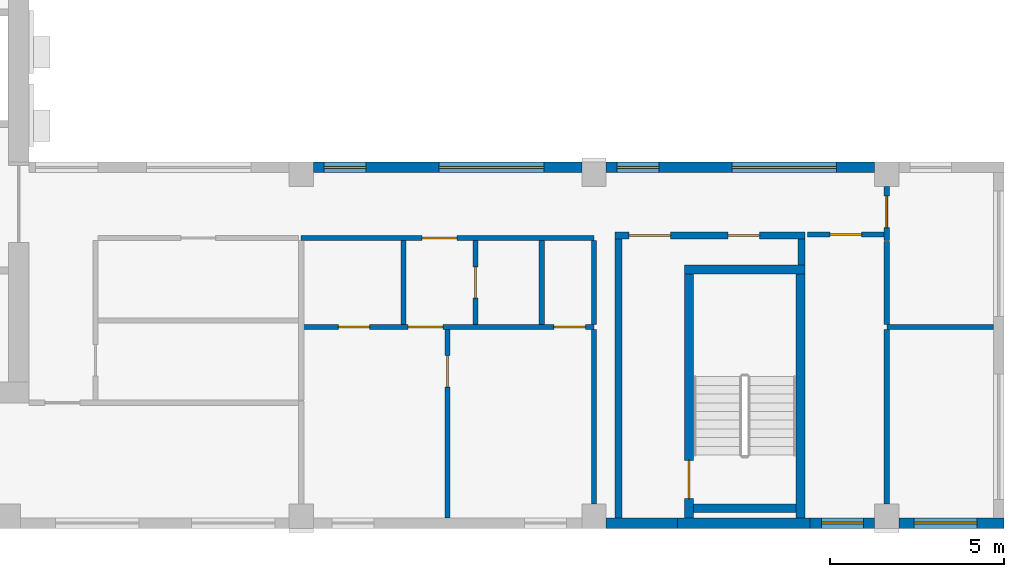
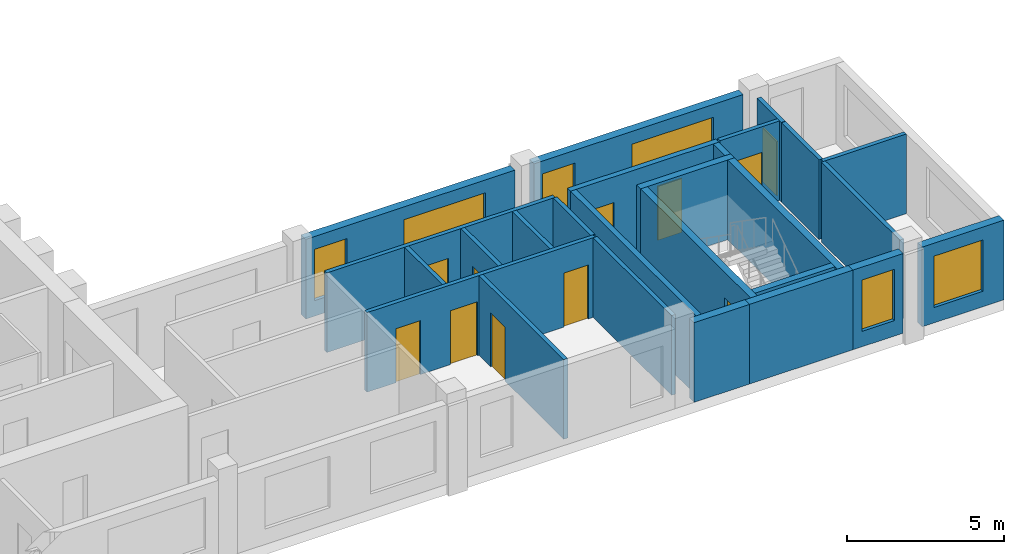
# One storey, part 4 of 9: 26 walls, 11 doors, 6 windows, 17 openings.
"""IFC4 building model written with IfcOpenShell, lengths in metres."""

import ifcopenshell
import ifcopenshell.guid

model = None  # the IFC model being written
_history = None  # IfcOwnerHistory: only IFC2X3 demands one
_inside = {}  # id of a spatial element -> (the spatial element, [elements in it])
_under = {}  # id of a project, library or spatial element -> (it, [spatial elements below it])
_declared = {}  # id of a project -> (the project, [libraries it declares])
_typed = {}  # id of a type object -> (the type object, [elements of that type])
_made_of = {}  # id of a material, layer set ... -> (it, [elements and type objects made of it])


def new_model(schema):
    """Start an empty IFC model of exactly this schema.

    Asked for "IFC4X3", IfcOpenShell would pick the latest addendum, in which some entities
    have other attributes; the version numbers below select the first issue.
    IFC2X3 requires an IfcOwnerHistory on every rooted entity: one is made here for all.
    """
    global model, _history
    if schema == "IFC4X3":
        model = ifcopenshell.file(schema_version=(4, 3, 0, 0))
    else:
        model = ifcopenshell.file(schema=schema)
    _inside.clear()
    _under.clear()
    _declared.clear()
    _typed.clear()
    _made_of.clear()
    _history = None
    if model.schema == "IFC2X3":
        org = make("IfcOrganization", Name="unknown")
        user = make(
            "IfcPersonAndOrganization",
            ThePerson=make("IfcPerson", FamilyName="unknown"),
            TheOrganization=org,
        )
        app = make(
            "IfcApplication",
            ApplicationDeveloper=org,
            Version="unknown",
            ApplicationFullName="unknown",
            ApplicationIdentifier="unknown",
        )
        _history = make(
            "IfcOwnerHistory",
            OwningUser=user,
            OwningApplication=app,
            ChangeAction="ADDED",
            CreationDate=0,
        )
    return model


def make(cls, **values):
    """One entity of the class cls with the attributes given. An attribute that is None is left unset."""
    return model.create_entity(
        cls, **{name: value for name, value in values.items() if value is not None}
    )


def rooted(cls, **values):
    """An entity with a GlobalId (a new one), such as an element, a storey or a relation."""
    return make(cls, GlobalId=ifcopenshell.guid.new(), OwnerHistory=_history, **values)


def si_unit(unit_type, name, prefix=None):
    """IfcSIUnit, for example si_unit("LENGTHUNIT", "METRE", prefix="MILLI")."""
    return make("IfcSIUnit", UnitType=unit_type, Prefix=prefix, Name=name)


def assignment(units):
    """IfcUnitAssignment: the units of a project."""
    return None if units is None else make("IfcUnitAssignment", Units=units)


def point(xyz):
    """IfcCartesianPoint."""
    return None if xyz is None else make("IfcCartesianPoint", Coordinates=xyz)


def direction(xyz):
    """IfcDirection."""
    return None if xyz is None else make("IfcDirection", DirectionRatios=xyz)


def frame(location, z_axis=None, x_axis=None):
    """IfcAxis2Placement3D, a coordinate frame: its origin and axes. An axis left out is left unset."""
    return make(
        "IfcAxis2Placement3D",
        Location=point(location),
        Axis=direction(z_axis),
        RefDirection=direction(x_axis),
    )


def frame_2d(location, x_axis=None):
    """IfcAxis2Placement2D, a coordinate frame in the plane: its origin and x axis."""
    return make(
        "IfcAxis2Placement2D", Location=point(location), RefDirection=direction(x_axis)
    )


def origin():
    """The frame at (0, 0, 0) with its axes left unset."""
    return frame((0.0, 0.0, 0.0))


def place(relative_to, where):
    """IfcLocalPlacement: puts the frame where relative to a parent placement (None: the world)."""
    return make(
        "IfcLocalPlacement", PlacementRelTo=relative_to, RelativePlacement=where
    )


def context(
    kind, dimensions, precision=None, world=None, true_north=None, identifier=None
):
    """IfcGeometricRepresentationContext, for example the 3D "Model" context."""
    return make(
        "IfcGeometricRepresentationContext",
        ContextIdentifier=identifier,
        ContextType=kind,
        CoordinateSpaceDimension=dimensions,
        Precision=precision,
        WorldCoordinateSystem=world,
        TrueNorth=true_north,
    )


def subcontext(parent, identifier, kind, view, scale=None):
    """IfcGeometricRepresentationSubContext, for example "Body" below "Model"."""
    return make(
        "IfcGeometricRepresentationSubContext",
        ContextIdentifier=identifier,
        ContextType=kind,
        ParentContext=parent,
        TargetScale=scale,
        TargetView=view,
    )


def project(units=None, contexts=None):
    """IfcProject with its units and contexts."""
    return rooted(
        "IfcProject",
        Name="project",
        RepresentationContexts=contexts,
        UnitsInContext=assignment(units),
    )


def spatial(cls, under=None, at=None, **own):
    """A site, building, storey or space (cls), placed at a placement, below another one or the project."""
    s = rooted(cls, ObjectPlacement=at, **own)
    if under is not None:
        _under.setdefault(under.id(), (under, []))[1].append(s)
    return s


def profile(cls, at=None, kind="AREA", **sizes):
    """A parametric profile (cls). Its sizes go by their IFC names, for example OverallWidth=200.0."""
    return make(cls, ProfileType=kind, Position=at, **sizes)


def rectangle(**sizes):
    """IfcRectangleProfileDef."""
    return profile("IfcRectangleProfileDef", **sizes)


def extrude(swept, where, along, depth):
    """IfcExtrudedAreaSolid: the profile swept, set in the frame where, extruded along a direction by depth."""
    return make(
        "IfcExtrudedAreaSolid",
        SweptArea=swept,
        Position=where,
        ExtrudedDirection=direction(along),
        Depth=depth,
    )


def shape(context_of_items, identifier, shape_type, items):
    """IfcShapeRepresentation: the items that make up one representation, for example the "Body"."""
    return make(
        "IfcShapeRepresentation",
        ContextOfItems=context_of_items,
        RepresentationIdentifier=identifier,
        RepresentationType=shape_type,
        Items=items,
    )


def source(mapping_origin, context_of_items, identifier, shape_type, items):
    """IfcRepresentationMap: a shape defined once, which mapped items show again and again."""
    return make(
        "IfcRepresentationMap",
        MappingOrigin=mapping_origin,
        MappedRepresentation=shape(context_of_items, identifier, shape_type, items),
    )


def transform(
    local_origin,
    x_axis=None,
    y_axis=None,
    z_axis=None,
    scale=None,
    scale2=None,
    scale3=None,
    uniform=True,
):
    """IfcCartesianTransformationOperator3D, or its non-uniform kind. x_axis, y_axis, z_axis: its Axis1, 2, 3."""
    if uniform:
        return make(
            "IfcCartesianTransformationOperator3D",
            Axis1=direction(x_axis),
            Axis2=direction(y_axis),
            LocalOrigin=point(local_origin),
            Scale=scale,
            Axis3=direction(z_axis),
        )
    return make(
        "IfcCartesianTransformationOperator3DnonUniform",
        Axis1=direction(x_axis),
        Axis2=direction(y_axis),
        LocalOrigin=point(local_origin),
        Scale=scale,
        Axis3=direction(z_axis),
        Scale2=scale2,
        Scale3=scale3,
    )


def mapped(mapping_source, mapping_target):
    """IfcMappedItem: shows the shape of a source again, moved by a transform."""
    return make(
        "IfcMappedItem", MappingSource=mapping_source, MappingTarget=mapping_target
    )


def material(Name=None, Category=None):
    """IfcMaterial."""
    return make("IfcMaterial", Name=Name, Category=Category)


def layer(
    of_material, thickness, ventilated=None, Name=None, Category=None, Priority=None
):
    """IfcMaterialLayer: one layer of a wall or slab, of a material (None: an air gap)."""
    return make(
        "IfcMaterialLayer",
        Material=of_material,
        LayerThickness=thickness,
        IsVentilated=ventilated,
        Name=Name,
        Category=Category,
        Priority=Priority,
    )


def layer_set(layers, Name=None):
    """IfcMaterialLayerSet."""
    return make("IfcMaterialLayerSet", MaterialLayers=layers, LayerSetName=Name)


def made_of(thing, what):
    """Note that an element or type object is made of a material, layer set ...; save() writes the relation."""
    if what is not None:
        _made_of.setdefault(what.id(), (what, []))[1].append(thing)
    return thing


def type_object(cls, material=None, **own):
    """A type object (cls), such as IfcWallType, which elements share."""
    return made_of(rooted(cls, **own), material)


def element(
    cls,
    number,
    at=None,
    inside=None,
    cuts=None,
    type_object=None,
    material=None,
    context=None,
    identifier="Body",
    shape_type=None,
    held_by="IfcProductDefinitionShape",
    body=None,
    shapes=None,
    **own,
):
    """One element of the class cls, such as IfcWall. Its Tag is "e" and its number.

    at: its placement. inside: the storey or other place that contains it. cuts: it is an
    opening in that element (IfcRelVoidsElement). A single representation is given by context,
    identifier, shape_type and body (its items); several are given by shapes. held_by: the class
    of the entity that holds the representations. save() writes the other relations.
    """
    e = rooted(cls, Tag="e%d" % number, ObjectPlacement=at, **own)
    if body is not None:
        shapes = [shape(context, identifier, shape_type, body)]
    if shapes is not None:
        e.Representation = make(held_by, Representations=shapes)
    if inside is not None:
        _inside.setdefault(inside.id(), (inside, []))[1].append(e)
    if cuts is not None:
        rooted(
            "IfcRelVoidsElement", RelatingBuildingElement=cuts, RelatedOpeningElement=e
        )
    if type_object is not None:
        _typed.setdefault(type_object.id(), (type_object, []))[1].append(e)
    return made_of(e, material)


def fill(opening, filler):
    """IfcRelFillsElement: the door or window that sits in an opening."""
    return rooted(
        "IfcRelFillsElement",
        RelatingOpeningElement=opening,
        RelatedBuildingElement=filler,
    )


def aggregate(whole, parts):
    """IfcRelAggregates: a whole, such as a stair, and the parts it consists of."""
    return rooted("IfcRelAggregates", RelatingObject=whole, RelatedObjects=parts)


def save(model, path):
    """Write the relations noted so far, then the file.

    IfcRelAggregates (storeys below a building ...), IfcRelContainedInSpatialStructure (elements
    in a storey), IfcRelDefinesByType, IfcRelAssociatesMaterial and IfcRelDeclares: one each for
    every whole, place, type object, material and project.
    """
    for whole, parts in _under.values():
        aggregate(whole, parts)
    for where, things in _inside.values():
        rooted(
            "IfcRelContainedInSpatialStructure",
            RelatedElements=things,
            RelatingStructure=where,
        )
    for kind, things in _typed.values():
        rooted("IfcRelDefinesByType", RelatedObjects=things, RelatingType=kind)
    for what, things in _made_of.values():
        rooted("IfcRelAssociatesMaterial", RelatedObjects=things, RelatingMaterial=what)
    for by, libraries in _declared.values():
        rooted("IfcRelDeclares", RelatingContext=by, RelatedDefinitions=libraries)
    model.write(path)


model = new_model("IFC4")

# Units and contexts
model_context = context("Model", 3, precision=1e-05, world=origin(), true_north=direction((0.0, 1.0)))
body_context = subcontext(model_context, "Body", "Model", "MODEL_VIEW")
ifc_project = project(units=[si_unit("LENGTHUNIT", "METRE"), si_unit("AREAUNIT", "SQUARE_METRE"), si_unit("VOLUMEUNIT", "CUBIC_METRE"), si_unit("PLANEANGLEUNIT", "RADIAN"), si_unit("MASSUNIT", "GRAM", prefix="KILO")], contexts=[model_context])

# Site, building, storey
site_placement = place(None, origin())
site = spatial("IfcSite", under=ifc_project, at=site_placement, CompositionType="ELEMENT")
building_placement = place(site_placement, origin())
building = spatial("IfcBuilding", under=site, at=building_placement, Name="Aurelian Terraces", CompositionType="ELEMENT")
storey_placement = place(building_placement, frame((0.0, 0.0, 309.0)))
storey = spatial("IfcBuildingStorey", under=building, at=storey_placement, Name="L71", CompositionType="ELEMENT", Elevation=309.0)

# Wall, opening, door
ifc_material_1 = material(Name="Gypsum board on steel studs", Category="steel")
ifc_layer_1 = layer(ifc_material_1, 0.15)
ifc_layer_set_1 = layer_set([ifc_layer_1], Name="Partition 150")
wall_type_1 = type_object("IfcWallType", Name="Partition 150", PredefinedType="PARTITIONING", material=ifc_layer_set_1)
wall_1_placement = place(storey_placement, frame((33.6, 0.3, 0.0), z_axis=(0.0, 0.0, 1.0), x_axis=(0.0, 1.0, 0.0)))
wall_1 = element("IfcWall", 1, at=wall_1_placement, inside=storey, type_object=wall_type_1, Name="Partition", PredefinedType="PARTITIONING", context=body_context, shape_type="SweptSolid", body=[
    extrude(rectangle(XDim=5.4, YDim=0.15, at=frame_2d((2.7, 0.0))), origin(), (0.0, 0.0, 1.0), 3.1),
])
shared_shape_1 = source(origin(), body_context, "Body", "SweptSolid", [
    extrude(rectangle(XDim=0.9, YDim=2.1, at=frame_2d((0.45, 1.05))), frame((0.0, 0.085, 0.0), z_axis=(0.0, -1.0, 0.0), x_axis=(1.0, 0.0, 0.0)), (0.0, 0.0, 1.0), 0.17),
])
opening_1_placement = place(wall_1_placement, frame((3.75, 0.0, 0.0)))
opening_1 = element("IfcOpeningElement", 2, at=opening_1_placement, cuts=wall_1, Name="Opening 771011", PredefinedType="OPENING", context=body_context, shape_type="MappedRepresentation", body=[
    mapped(shared_shape_1, transform((0.0, 0.0, 0.0), scale=1.0)),
])
ifc_material_2 = material(Name="Timber door leaf", Category="wood")
door_type_1 = type_object("IfcDoorType", Name="Room door 900x2100 left", OperationType="SINGLE_SWING_LEFT", PredefinedType="DOOR", material=ifc_material_2)
shared_shape_2 = source(origin(), body_context, "Body", "SweptSolid", [
    extrude(rectangle(XDim=0.9, YDim=2.1, at=frame_2d((0.45, 1.05))), frame((0.0, 0.025, 0.0), z_axis=(0.0, -1.0, 0.0), x_axis=(1.0, 0.0, 0.0)), (0.0, 0.0, 1.0), 0.05),
])
door_1_placement = place(opening_1_placement, origin())
door_1 = element("IfcDoor", 3, at=door_1_placement, inside=storey, type_object=door_type_1, Name="Door 771011", OperationType="SINGLE_SWING_LEFT", OverallHeight=2.1, OverallWidth=0.9, PredefinedType="DOOR", context=body_context, shape_type="MappedRepresentation", body=[
    mapped(shared_shape_2, transform((0.0, 0.0, 0.0), scale=1.0)),
])
fill(opening_1, door_1)

# Wall, openings, windows
ifc_material_3 = material(Name="Terracotta rainscreen cladding", Category="masonry")
ifc_layer_2 = layer(ifc_material_3, 0.3)
ifc_layer_set_2 = layer_set([ifc_layer_2], Name="EW-300")
wall_type_2 = type_object("IfcWallType", Name="EW-300", PredefinedType="STANDARD", material=ifc_layer_set_2)
shared_shape_3 = source(origin(), body_context, "Body", "SweptSolid", [
    extrude(rectangle(XDim=7.7, YDim=0.3, at=frame_2d((3.85, 0.0))), origin(), (0.0, 0.0, 1.0), 3.1),
])
wall_2_placement = place(storey_placement, frame((45.85, 10.35, 0.0), z_axis=(0.0, 0.0, 1.0), x_axis=(-1.0, 0.0, 0.0)))
wall_2 = element("IfcWall", 4, at=wall_2_placement, inside=storey, type_object=wall_type_2, Name="External wall L71 F03.8", PredefinedType="STANDARD", context=body_context, shape_type="MappedRepresentation", body=[
    mapped(shared_shape_3, transform((0.0, 0.0, 0.0), scale=1.0)),
])
shared_shape_4 = source(origin(), body_context, "Body", "SweptSolid", [
    extrude(rectangle(XDim=3.0, YDim=2.0, at=frame_2d((1.5, 1.0))), frame((0.0, 0.16, 0.0), z_axis=(0.0, -1.0, 0.0), x_axis=(1.0, 0.0, 0.0)), (0.0, 0.0, 1.0), 0.32),
])
opening_2_placement = place(wall_2_placement, frame((1.09, 0.0, 0.6)))
opening_2 = element("IfcOpeningElement", 5, at=opening_2_placement, cuts=wall_2, Name="Opening W3020", PredefinedType="OPENING", context=body_context, shape_type="MappedRepresentation", body=[
    mapped(shared_shape_4, transform((0.0, 0.0, 0.0), scale=1.0)),
])
shared_shape_5 = source(origin(), body_context, "Body", "SweptSolid", [
    extrude(rectangle(XDim=1.2, YDim=2.0, at=frame_2d((0.6, 1.0))), frame((0.0, 0.16, 0.0), z_axis=(0.0, -1.0, 0.0), x_axis=(1.0, 0.0, 0.0)), (0.0, 0.0, 1.0), 0.32),
])
opening_3_placement = place(wall_2_placement, frame((6.19, 0.0, 0.6)))
opening_3 = element("IfcOpeningElement", 6, at=opening_3_placement, cuts=wall_2, Name="Opening W1220", PredefinedType="OPENING", context=body_context, shape_type="MappedRepresentation", body=[
    mapped(shared_shape_5, transform((0.0, 0.0, 0.0), scale=1.0)),
])
ifc_material_4 = material(Name="Clear glazing", Category="glass")
window_type_1 = type_object("IfcWindowType", Name="W-3000x2000", PartitioningType="SINGLE_PANEL", PredefinedType="WINDOW", material=ifc_material_4)
shared_shape_6 = source(origin(), body_context, "Body", "SweptSolid", [
    extrude(rectangle(XDim=3.0, YDim=2.0, at=frame_2d((1.5, 1.0))), frame((0.0, 0.03, 0.0), z_axis=(0.0, -1.0, 0.0), x_axis=(1.0, 0.0, 0.0)), (0.0, 0.0, 1.0), 0.06),
])
window_1_placement = place(opening_2_placement, origin())
window_1 = element("IfcWindow", 7, at=window_1_placement, inside=storey, type_object=window_type_1, Name="Window L71 L71-F03-08-1", OverallHeight=2.0, OverallWidth=3.0, PartitioningType="SINGLE_PANEL", PredefinedType="WINDOW", context=body_context, shape_type="MappedRepresentation", body=[
    mapped(shared_shape_6, transform((0.0, 0.0, 0.0), scale=1.0)),
])
fill(opening_2, window_1)
window_type_2 = type_object("IfcWindowType", Name="W-1200x2000", PartitioningType="SINGLE_PANEL", PredefinedType="WINDOW", material=ifc_material_4)
shared_shape_7 = source(origin(), body_context, "Body", "SweptSolid", [
    extrude(rectangle(XDim=1.2, YDim=2.0, at=frame_2d((0.6, 1.0))), frame((0.0, 0.03, 0.0), z_axis=(0.0, -1.0, 0.0), x_axis=(1.0, 0.0, 0.0)), (0.0, 0.0, 1.0), 0.06),
])
window_2_placement = place(opening_3_placement, origin())
window_2 = element("IfcWindow", 8, at=window_2_placement, inside=storey, type_object=window_type_2, Name="Window L71 L71-F03-08-2", OverallHeight=2.0, OverallWidth=1.2, PartitioningType="SINGLE_PANEL", PredefinedType="WINDOW", context=body_context, shape_type="MappedRepresentation", body=[
    mapped(shared_shape_7, transform((0.0, 0.0, 0.0), scale=1.0)),
])
fill(opening_3, window_2)

wall_3_placement = place(storey_placement, frame((37.45, 10.35, 0.0), z_axis=(0.0, 0.0, 1.0), x_axis=(-1.0, 0.0, 0.0)))
wall_3 = element("IfcWall", 9, at=wall_3_placement, inside=storey, type_object=wall_type_2, Name="External wall L71 F03.8", PredefinedType="STANDARD", context=body_context, shape_type="MappedRepresentation", body=[
    mapped(shared_shape_3, transform((0.0, 0.0, 0.0), scale=1.0)),
])
opening_4_placement = place(wall_3_placement, frame((1.09, 0.0, 0.6)))
opening_4 = element("IfcOpeningElement", 10, at=opening_4_placement, cuts=wall_3, Name="Opening W3020", PredefinedType="OPENING", context=body_context, shape_type="MappedRepresentation", body=[
    mapped(shared_shape_4, transform((0.0, 0.0, 0.0), scale=1.0)),
])
opening_5_placement = place(wall_3_placement, frame((6.19, 0.0, 0.6)))
opening_5 = element("IfcOpeningElement", 11, at=opening_5_placement, cuts=wall_3, Name="Opening W1220", PredefinedType="OPENING", context=body_context, shape_type="MappedRepresentation", body=[
    mapped(shared_shape_5, transform((0.0, 0.0, 0.0), scale=1.0)),
])
window_3_placement = place(opening_4_placement, origin())
window_3 = element("IfcWindow", 12, at=window_3_placement, inside=storey, type_object=window_type_1, Name="Window L71 L71-F03-08-3", OverallHeight=2.0, OverallWidth=3.0, PartitioningType="SINGLE_PANEL", PredefinedType="WINDOW", context=body_context, shape_type="MappedRepresentation", body=[
    mapped(shared_shape_6, transform((0.0, 0.0, 0.0), scale=1.0)),
])
fill(opening_4, window_3)
window_4_placement = place(opening_5_placement, origin())
window_4 = element("IfcWindow", 13, at=window_4_placement, inside=storey, type_object=window_type_2, Name="Window L71 L71-F03-08-4", OverallHeight=2.0, OverallWidth=1.2, PartitioningType="SINGLE_PANEL", PredefinedType="WINDOW", context=body_context, shape_type="MappedRepresentation", body=[
    mapped(shared_shape_7, transform((0.0, 0.0, 0.0), scale=1.0)),
])
fill(opening_5, window_4)

# Wall, opening, window
shared_shape_8 = source(origin(), body_context, "Body", "SweptSolid", [
    extrude(rectangle(XDim=3.01, YDim=0.3, at=frame_2d((1.505, 0.0))), origin(), (0.0, 0.0, 1.0), 3.1),
])
wall_4_placement = place(storey_placement, frame((46.55, 0.15, 0.0), z_axis=(0.0, 0.0, 1.0), x_axis=(1.0, 0.0, 0.0)))
wall_4 = element("IfcWall", 14, at=wall_4_placement, inside=storey, type_object=wall_type_2, Name="External wall L71 F01.6", PredefinedType="STANDARD", context=body_context, shape_type="MappedRepresentation", body=[
    mapped(shared_shape_8, transform((0.0, 0.0, 0.0), scale=1.0)),
])
shared_shape_9 = source(origin(), body_context, "Body", "SweptSolid", [
    extrude(rectangle(XDim=1.8, YDim=2.0, at=frame_2d((0.9, 1.0))), frame((0.0, 0.16, 0.0), z_axis=(0.0, -1.0, 0.0), x_axis=(1.0, 0.0, 0.0)), (0.0, 0.0, 1.0), 0.32),
])
opening_6_placement = place(wall_4_placement, frame((0.43, 0.0, 0.6)))
opening_6 = element("IfcOpeningElement", 15, at=opening_6_placement, cuts=wall_4, Name="Opening W1820", PredefinedType="OPENING", context=body_context, shape_type="MappedRepresentation", body=[
    mapped(shared_shape_9, transform((0.0, 0.0, 0.0), scale=1.0)),
])
window_type_3 = type_object("IfcWindowType", Name="W-1800x2000", PartitioningType="SINGLE_PANEL", PredefinedType="WINDOW", material=ifc_material_4)
shared_shape_10 = source(origin(), body_context, "Body", "SweptSolid", [
    extrude(rectangle(XDim=1.8, YDim=2.0, at=frame_2d((0.9, 1.0))), frame((0.0, 0.03, 0.0), z_axis=(0.0, -1.0, 0.0), x_axis=(1.0, 0.0, 0.0)), (0.0, 0.0, 1.0), 0.06),
])
window_5_placement = place(opening_6_placement, origin())
window_5 = element("IfcWindow", 16, at=window_5_placement, inside=storey, type_object=window_type_3, Name="Window L71 L71-F01-06-0", OverallHeight=2.0, OverallWidth=1.8, PartitioningType="SINGLE_PANEL", PredefinedType="WINDOW", context=body_context, shape_type="MappedRepresentation", body=[
    mapped(shared_shape_10, transform((0.0, 0.0, 0.0), scale=1.0)),
])
fill(opening_6, window_5)

# Walls
shared_shape_11 = source(origin(), body_context, "Body", "SweptSolid", [
    extrude(rectangle(XDim=2.05, YDim=0.3, at=frame_2d((1.025, 0.0))), origin(), (0.0, 0.0, 1.0), 3.1),
])
wall_5_placement = place(storey_placement, frame((38.15, 0.15, 0.0), z_axis=(0.0, 0.0, 1.0), x_axis=(1.0, 0.0, 0.0)))
element("IfcWall", 17, at=wall_5_placement, inside=storey, type_object=wall_type_2, Name="External wall L71 F01.5", PredefinedType="STANDARD", context=body_context, shape_type="MappedRepresentation", body=[
    mapped(shared_shape_11, transform((0.0, 0.0, 0.0), scale=1.0)),
])
ifc_material_5 = material(Name="Concrete fc' 40 MPa", Category="concrete")
ifc_layer_3 = layer(ifc_material_5, 0.3)
ifc_layer_set_3 = layer_set([ifc_layer_3], Name="STAIR BAY WALL 300")
wall_type_3 = type_object("IfcWallType", Name="STAIR BAY WALL 300", PredefinedType="SOLIDWALL", material=ifc_layer_set_3)
shared_shape_12 = source(origin(), body_context, "Body", "SweptSolid", [
    extrude(rectangle(XDim=3.8, YDim=0.3, at=frame_2d((1.9, 0.0))), origin(), (0.0, 0.0, 1.0), 3.1),
])
wall_6_placement = place(storey_placement, frame((40.2, 0.15, 0.0), z_axis=(0.0, 0.0, 1.0), x_axis=(1.0, 0.0, 0.0)))
element("IfcWall", 18, at=wall_6_placement, inside=storey, type_object=wall_type_3, Name="Stair bay wall L71 F01.5", PredefinedType="SOLIDWALL", context=body_context, shape_type="MappedRepresentation", body=[
    mapped(shared_shape_12, transform((0.0, 0.0, 0.0), scale=1.0)),
])

# Wall, opening, window
shared_shape_13 = source(origin(), body_context, "Body", "SweptSolid", [
    extrude(rectangle(XDim=1.85, YDim=0.3, at=frame_2d((0.925, 0.0))), origin(), (0.0, 0.0, 1.0), 3.1),
])
wall_7_placement = place(storey_placement, frame((44.0, 0.15, 0.0), z_axis=(0.0, 0.0, 1.0), x_axis=(1.0, 0.0, 0.0)))
wall_7 = element("IfcWall", 19, at=wall_7_placement, inside=storey, type_object=wall_type_2, Name="External wall L71 F01.5", PredefinedType="STANDARD", context=body_context, shape_type="MappedRepresentation", body=[
    mapped(shared_shape_13, transform((0.0, 0.0, 0.0), scale=1.0)),
])
opening_7_placement = place(wall_7_placement, frame((0.325, 0.0, 0.6)))
opening_7 = element("IfcOpeningElement", 20, at=opening_7_placement, cuts=wall_7, Name="Opening W1220", PredefinedType="OPENING", context=body_context, shape_type="MappedRepresentation", body=[
    mapped(shared_shape_5, transform((0.0, 0.0, 0.0), scale=1.0)),
])
window_6_placement = place(opening_7_placement, origin())
window_6 = element("IfcWindow", 21, at=window_6_placement, inside=storey, type_object=window_type_2, Name="Window L71 L71-F01-05-P2", OverallHeight=2.0, OverallWidth=1.2, PartitioningType="SINGLE_PANEL", PredefinedType="WINDOW", context=body_context, shape_type="MappedRepresentation", body=[
    mapped(shared_shape_7, transform((0.0, 0.0, 0.0), scale=1.0)),
])
fill(opening_7, window_6)

# Wall, opening, door
ifc_layer_4 = layer(ifc_material_5, 0.25)
ifc_layer_set_4 = layer_set([ifc_layer_4], Name="Stair enclosure wall 250")
wall_type_4 = type_object("IfcWallType", Name="Stair enclosure wall 250", PredefinedType="SOLIDWALL", material=ifc_layer_set_4)
shared_shape_14 = source(origin(), body_context, "Body", "SweptSolid", [
    extrude(rectangle(XDim=7.0, YDim=0.25, at=frame_2d((3.5, 0.0))), origin(), (0.0, 0.0, 1.0), 3.1),
])
wall_8_placement = place(storey_placement, frame((40.525, 0.3, 0.0), z_axis=(0.0, 0.0, 1.0), x_axis=(0.0, 1.0, 0.0)))
wall_8 = element("IfcWall", 22, at=wall_8_placement, inside=storey, type_object=wall_type_4, Name="L71 core wall ST-S2-W", PredefinedType="SOLIDWALL", context=body_context, shape_type="MappedRepresentation", body=[
    mapped(shared_shape_14, transform((0.0, 0.0, 0.0), scale=1.0)),
])
shared_shape_15 = source(origin(), body_context, "Body", "SweptSolid", [
    extrude(rectangle(XDim=1.1, YDim=2.1, at=frame_2d((0.55, 1.05))), frame((0.0, 0.135, 0.0), z_axis=(0.0, -1.0, 0.0), x_axis=(1.0, 0.0, 0.0)), (0.0, 0.0, 1.0), 0.27),
])
opening_8_placement = place(wall_8_placement, frame((0.55, 0.0, 0.0)))
opening_8 = element("IfcOpeningElement", 23, at=opening_8_placement, cuts=wall_8, Name="Opening 67422", PredefinedType="OPENING", context=body_context, shape_type="MappedRepresentation", body=[
    mapped(shared_shape_15, transform((0.0, 0.0, 0.0), scale=1.0)),
])
ifc_material_6 = material(Name="Steel door leaf", Category="steel")
door_type_2 = type_object("IfcDoorType", Name="Core fire door 1100x2100", OperationType="SINGLE_SWING_LEFT", PredefinedType="DOOR", material=ifc_material_6)
shared_shape_16 = source(origin(), body_context, "Body", "SweptSolid", [
    extrude(rectangle(XDim=1.1, YDim=2.1, at=frame_2d((0.55, 1.05))), frame((0.0, 0.025, 0.0), z_axis=(0.0, -1.0, 0.0), x_axis=(1.0, 0.0, 0.0)), (0.0, 0.0, 1.0), 0.05),
])
door_2_placement = place(opening_8_placement, origin())
door_2 = element("IfcDoor", 24, at=door_2_placement, inside=storey, type_object=door_type_2, Name="Stair door 67422", OperationType="SINGLE_SWING_LEFT", OverallHeight=2.1, OverallWidth=1.1, PredefinedType="DOOR", context=body_context, shape_type="MappedRepresentation", body=[
    mapped(shared_shape_16, transform((0.0, 0.0, 0.0), scale=1.0)),
])
fill(opening_8, door_2)

# Walls
wall_9_placement = place(storey_placement, frame((43.725, 0.3, 0.0), z_axis=(0.0, 0.0, 1.0), x_axis=(0.0, 1.0, 0.0)))
element("IfcWall", 25, at=wall_9_placement, inside=storey, type_object=wall_type_4, Name="L71 core wall ST-S2-E", PredefinedType="SOLIDWALL", context=body_context, shape_type="MappedRepresentation", body=[
    mapped(shared_shape_14, transform((0.0, 0.0, 0.0), scale=1.0)),
])
shared_shape_17 = source(origin(), body_context, "Body", "SweptSolid", [
    extrude(rectangle(XDim=3.45, YDim=0.25, at=frame_2d((1.725, 0.0))), origin(), (0.0, 0.0, 1.0), 3.1),
])
wall_10_placement = place(storey_placement, frame((40.4, 7.425, 0.0), z_axis=(0.0, 0.0, 1.0), x_axis=(1.0, 0.0, 0.0)))
element("IfcWall", 26, at=wall_10_placement, inside=storey, type_object=wall_type_4, Name="L71 core wall ST-S2-N", PredefinedType="SOLIDWALL", context=body_context, shape_type="MappedRepresentation", body=[
    mapped(shared_shape_17, transform((0.0, 0.0, 0.0), scale=1.0)),
])
ifc_layer_5 = layer(ifc_material_1, 0.2)
ifc_layer_set_5 = layer_set([ifc_layer_5], Name="Core partition 200")
wall_type_5 = type_object("IfcWallType", Name="Core partition 200", PredefinedType="PARTITIONING", material=ifc_layer_set_5)
shared_shape_18 = source(origin(), body_context, "Body", "SweptSolid", [
    extrude(rectangle(XDim=8.0, YDim=0.2, at=frame_2d((4.0, 0.0))), origin(), (0.0, 0.0, 1.0), 3.1),
])
wall_11_placement = place(storey_placement, frame((38.5, 0.3, 0.0), z_axis=(0.0, 0.0, 1.0), x_axis=(0.0, 1.0, 0.0)))
element("IfcWall", 27, at=wall_11_placement, inside=storey, type_object=wall_type_5, Name="L71 core wall ST-S2-VW", PredefinedType="PARTITIONING", context=body_context, shape_type="MappedRepresentation", body=[
    mapped(shared_shape_18, transform((0.0, 0.0, 0.0), scale=1.0)),
])

# Wall, openings, doors
shared_shape_19 = source(origin(), body_context, "Body", "SweptSolid", [
    extrude(rectangle(XDim=5.45, YDim=0.2, at=frame_2d((2.725, 0.0))), origin(), (0.0, 0.0, 1.0), 3.1),
])
wall_12_placement = place(storey_placement, frame((38.4, 8.4, 0.0), z_axis=(0.0, 0.0, 1.0), x_axis=(1.0, 0.0, 0.0)))
wall_12 = element("IfcWall", 28, at=wall_12_placement, inside=storey, type_object=wall_type_5, Name="L71 core wall ST-S2-BN", PredefinedType="PARTITIONING", context=body_context, shape_type="MappedRepresentation", body=[
    mapped(shared_shape_19, transform((0.0, 0.0, 0.0), scale=1.0)),
])
shared_shape_20 = source(origin(), body_context, "Body", "SweptSolid", [
    extrude(rectangle(XDim=1.2, YDim=2.1, at=frame_2d((0.6, 1.05))), frame((0.0, 0.11, 0.0), z_axis=(0.0, -1.0, 0.0), x_axis=(1.0, 0.0, 0.0)), (0.0, 0.0, 1.0), 0.22),
])
opening_9_placement = place(wall_12_placement, frame((0.4, 0.0, 0.0)))
opening_9 = element("IfcOpeningElement", 29, at=opening_9_placement, cuts=wall_12, Name="Opening 67423", PredefinedType="OPENING", context=body_context, shape_type="MappedRepresentation", body=[
    mapped(shared_shape_20, transform((0.0, 0.0, 0.0), scale=1.0)),
])
shared_shape_21 = source(origin(), body_context, "Body", "SweptSolid", [
    extrude(rectangle(XDim=0.9, YDim=2.1, at=frame_2d((0.45, 1.05))), frame((0.0, 0.11, 0.0), z_axis=(0.0, -1.0, 0.0), x_axis=(1.0, 0.0, 0.0)), (0.0, 0.0, 1.0), 0.22),
])
opening_10_placement = place(wall_12_placement, frame((3.25, 0.0, 0.0)))
opening_10 = element("IfcOpeningElement", 30, at=opening_10_placement, cuts=wall_12, Name="Opening 67424", PredefinedType="OPENING", context=body_context, shape_type="MappedRepresentation", body=[
    mapped(shared_shape_21, transform((0.0, 0.0, 0.0), scale=1.0)),
])
door_type_3 = type_object("IfcDoorType", Name="Core riser door 900x2100", OperationType="SINGLE_SWING_LEFT", PredefinedType="DOOR", material=ifc_material_6)
door_3_placement = place(opening_10_placement, origin())
door_3 = element("IfcDoor", 31, at=door_3_placement, inside=storey, type_object=door_type_3, Name="Riser door 67424", OperationType="SINGLE_SWING_LEFT", OverallHeight=2.1, OverallWidth=0.9, PredefinedType="DOOR", context=body_context, shape_type="MappedRepresentation", body=[
    mapped(shared_shape_2, transform((0.0, 0.0, 0.0), scale=1.0)),
])
fill(opening_10, door_3)
door_type_4 = type_object("IfcDoorType", Name="Core fire door 1200x2100 right", OperationType="SINGLE_SWING_RIGHT", PredefinedType="DOOR", material=ifc_material_6)
shared_shape_22 = source(origin(), body_context, "Body", "SweptSolid", [
    extrude(rectangle(XDim=1.2, YDim=2.1, at=frame_2d((0.6, 1.05))), frame((0.0, 0.025, 0.0), z_axis=(0.0, -1.0, 0.0), x_axis=(1.0, 0.0, 0.0)), (0.0, 0.0, 1.0), 0.05),
])
door_4_placement = place(opening_9_placement, origin())
door_4 = element("IfcDoor", 32, at=door_4_placement, inside=storey, type_object=door_type_4, Name="Vestibule door 67423", OperationType="SINGLE_SWING_RIGHT", OverallHeight=2.1, OverallWidth=1.2, PredefinedType="DOOR", context=body_context, shape_type="MappedRepresentation", body=[
    mapped(shared_shape_22, transform((0.0, 0.0, 0.0), scale=1.0)),
])
fill(opening_9, door_4)

# Walls
shared_shape_23 = source(origin(), body_context, "Body", "SweptSolid", [
    extrude(rectangle(XDim=0.75, YDim=0.2, at=frame_2d((0.375, 0.0))), origin(), (0.0, 0.0, 1.0), 3.1),
])
wall_13_placement = place(storey_placement, frame((43.75, 7.55, 0.0), z_axis=(0.0, 0.0, 1.0), x_axis=(0.0, 1.0, 0.0)))
element("IfcWall", 33, at=wall_13_placement, inside=storey, type_object=wall_type_5, Name="L71 core wall ST-S2-RE", PredefinedType="PARTITIONING", context=body_context, shape_type="MappedRepresentation", body=[
    mapped(shared_shape_23, transform((0.0, 0.0, 0.0), scale=1.0)),
])
shared_shape_24 = source(origin(), body_context, "Body", "SweptSolid", [
    extrude(rectangle(XDim=2.95, YDim=0.25, at=frame_2d((1.475, 0.0))), origin(), (0.0, 0.0, 1.0), 3.1),
])
wall_14_placement = place(storey_placement, frame((40.65, 0.575, 0.0), z_axis=(0.0, 0.0, 1.0), x_axis=(1.0, 0.0, 0.0)))
element("IfcWall", 34, at=wall_14_placement, inside=storey, type_object=wall_type_4, Name="L71 core wall ST-S2-SS", PredefinedType="SOLIDWALL", context=body_context, shape_type="MappedRepresentation", body=[
    mapped(shared_shape_24, transform((0.0, 0.0, 0.0), scale=1.0)),
])

# Wall, openings, doors
shared_shape_25 = source(origin(), body_context, "Body", "SweptSolid", [
    extrude(rectangle(XDim=8.4, YDim=0.15, at=frame_2d((4.2, 0.0))), origin(), (0.0, 0.0, 1.0), 3.1),
])
wall_15_placement = place(storey_placement, frame((37.8, 5.775, 0.0), z_axis=(0.0, 0.0, 1.0), x_axis=(-1.0, 0.0, 0.0)))
wall_15 = element("IfcWall", 35, at=wall_15_placement, inside=storey, type_object=wall_type_1, Name="Partition", PredefinedType="PARTITIONING", context=body_context, shape_type="MappedRepresentation", body=[
    mapped(shared_shape_25, transform((0.0, 0.0, 0.0), scale=1.0)),
])
shared_shape_26 = source(origin(), body_context, "Body", "SweptSolid", [
    extrude(rectangle(XDim=1.0, YDim=2.1, at=frame_2d((0.5, 1.05))), frame((0.0, 0.085, 0.0), z_axis=(0.0, -1.0, 0.0), x_axis=(1.0, 0.0, 0.0)), (0.0, 0.0, 1.0), 0.17),
])
opening_11_placement = place(wall_15_placement, frame((4.332, 0.0, 0.0)))
opening_11 = element("IfcOpeningElement", 36, at=opening_11_placement, cuts=wall_15, Name="Opening 771007", PredefinedType="OPENING", context=body_context, shape_type="MappedRepresentation", body=[
    mapped(shared_shape_26, transform((0.0, 0.0, 0.0), scale=1.0)),
])
opening_12_placement = place(wall_15_placement, frame((6.4325, 0.0, 0.0)))
opening_12 = element("IfcOpeningElement", 37, at=opening_12_placement, cuts=wall_15, Name="Opening 771008", PredefinedType="OPENING", context=body_context, shape_type="MappedRepresentation", body=[
    mapped(shared_shape_1, transform((0.0, 0.0, 0.0), scale=1.0)),
])
opening_13_placement = place(wall_15_placement, frame((0.2485, 0.0, 0.0)))
opening_13 = element("IfcOpeningElement", 38, at=opening_13_placement, cuts=wall_15, Name="Opening 771010", PredefinedType="OPENING", context=body_context, shape_type="MappedRepresentation", body=[
    mapped(shared_shape_1, transform((0.0, 0.0, 0.0), scale=1.0)),
])
door_type_5 = type_object("IfcDoorType", Name="Room door 1000x2100 left", OperationType="SINGLE_SWING_LEFT", PredefinedType="DOOR", material=ifc_material_2)
shared_shape_27 = source(origin(), body_context, "Body", "SweptSolid", [
    extrude(rectangle(XDim=1.0, YDim=2.1, at=frame_2d((0.5, 1.05))), frame((0.0, 0.025, 0.0), z_axis=(0.0, -1.0, 0.0), x_axis=(1.0, 0.0, 0.0)), (0.0, 0.0, 1.0), 0.05),
])
door_5_placement = place(opening_11_placement, origin())
door_5 = element("IfcDoor", 39, at=door_5_placement, inside=storey, type_object=door_type_5, Name="Door 771007", OperationType="SINGLE_SWING_LEFT", OverallHeight=2.1, OverallWidth=1.0, PredefinedType="DOOR", context=body_context, shape_type="MappedRepresentation", body=[
    mapped(shared_shape_27, transform((0.0, 0.0, 0.0), scale=1.0)),
])
fill(opening_11, door_5)
door_type_6 = type_object("IfcDoorType", Name="Room door 900x2100 right", OperationType="SINGLE_SWING_RIGHT", PredefinedType="DOOR", material=ifc_material_2)
door_6_placement = place(opening_12_placement, origin())
door_6 = element("IfcDoor", 40, at=door_6_placement, inside=storey, type_object=door_type_6, Name="Door 771008", OperationType="SINGLE_SWING_RIGHT", OverallHeight=2.1, OverallWidth=0.9, PredefinedType="DOOR", context=body_context, shape_type="MappedRepresentation", body=[
    mapped(shared_shape_2, transform((0.0, 0.0, 0.0), scale=1.0)),
])
fill(opening_12, door_6)
door_7_placement = place(opening_13_placement, origin())
door_7 = element("IfcDoor", 41, at=door_7_placement, inside=storey, type_object=door_type_6, Name="Door 771010", OperationType="SINGLE_SWING_RIGHT", OverallHeight=2.1, OverallWidth=0.9, PredefinedType="DOOR", context=body_context, shape_type="MappedRepresentation", body=[
    mapped(shared_shape_2, transform((0.0, 0.0, 0.0), scale=1.0)),
])
fill(opening_13, door_7)

# Wall, opening, door
ifc_layer_6 = layer(ifc_material_1, 0.15)
ifc_layer_set_6 = layer_set([ifc_layer_6], Name="Fire partition 150")
wall_type_6 = type_object("IfcWallType", Name="Fire partition 150", PredefinedType="PARTITIONING", material=ifc_layer_set_6)
wall_16_placement = place(storey_placement, frame((37.8, 8.325, 0.0), z_axis=(0.0, 0.0, 1.0), x_axis=(-1.0, 0.0, 0.0)))
wall_16 = element("IfcWall", 42, at=wall_16_placement, inside=storey, type_object=wall_type_6, Name="Corridor wall", PredefinedType="PARTITIONING", context=body_context, shape_type="MappedRepresentation", body=[
    mapped(shared_shape_25, transform((0.0, 0.0, 0.0), scale=1.0)),
])
opening_14_placement = place(wall_16_placement, frame((3.9333, 0.0, 0.0)))
opening_14 = element("IfcOpeningElement", 43, at=opening_14_placement, cuts=wall_16, Name="Opening 771006", PredefinedType="OPENING", context=body_context, shape_type="MappedRepresentation", body=[
    mapped(shared_shape_26, transform((0.0, 0.0, 0.0), scale=1.0)),
])
door_type_7 = type_object("IfcDoorType", Name="Entrance fire door 1000x2100 right", OperationType="SINGLE_SWING_RIGHT", PredefinedType="DOOR", material=ifc_material_6)
door_8_placement = place(opening_14_placement, origin())
door_8 = element("IfcDoor", 44, at=door_8_placement, inside=storey, type_object=door_type_7, Name="Door 771006", OperationType="SINGLE_SWING_RIGHT", OverallHeight=2.1, OverallWidth=1.0, PredefinedType="DOOR", context=body_context, shape_type="MappedRepresentation", body=[
    mapped(shared_shape_27, transform((0.0, 0.0, 0.0), scale=1.0)),
])
fill(opening_14, door_8)

# Wall
shared_shape_28 = source(origin(), body_context, "Body", "SweptSolid", [
    extrude(rectangle(XDim=3.06, YDim=0.15, at=frame_2d((1.53, 0.0))), origin(), (0.0, 0.0, 1.0), 3.1),
])
wall_17_placement = place(storey_placement, frame((49.26, 5.775, 0.0), z_axis=(0.0, 0.0, 1.0), x_axis=(-1.0, 0.0, 0.0)))
element("IfcWall", 45, at=wall_17_placement, inside=storey, type_object=wall_type_1, Name="Partition", PredefinedType="PARTITIONING", context=body_context, shape_type="MappedRepresentation", body=[
    mapped(shared_shape_28, transform((0.0, 0.0, 0.0), scale=1.0)),
])

# Wall, opening, door
shared_shape_29 = source(origin(), body_context, "Body", "SweptSolid", [
    extrude(rectangle(XDim=2.2, YDim=0.15, at=frame_2d((1.1, 0.0))), origin(), (0.0, 0.0, 1.0), 3.1),
])
wall_18_placement = place(storey_placement, frame((46.125, 8.425, 0.0), z_axis=(0.0, 0.0, 1.0), x_axis=(-1.0, 0.0, 0.0)))
wall_18 = element("IfcWall", 46, at=wall_18_placement, inside=storey, type_object=wall_type_1, Name="Partition", PredefinedType="PARTITIONING", context=body_context, shape_type="MappedRepresentation", body=[
    mapped(shared_shape_29, transform((0.0, 0.0, 0.0), scale=1.0)),
])
opening_15_placement = place(wall_18_placement, frame((0.65, 0.0, 0.0)))
opening_15 = element("IfcOpeningElement", 47, at=opening_15_placement, cuts=wall_18, Name="Opening 771005", PredefinedType="OPENING", context=body_context, shape_type="MappedRepresentation", body=[
    mapped(shared_shape_1, transform((0.0, 0.0, 0.0), scale=1.0)),
])
door_9_placement = place(opening_15_placement, origin())
door_9 = element("IfcDoor", 48, at=door_9_placement, inside=storey, type_object=door_type_1, Name="Door 771005", OperationType="SINGLE_SWING_LEFT", OverallHeight=2.1, OverallWidth=0.9, PredefinedType="DOOR", context=body_context, shape_type="MappedRepresentation", body=[
    mapped(shared_shape_2, transform((0.0, 0.0, 0.0), scale=1.0)),
])
fill(opening_15, door_9)

# Walls
shared_shape_30 = source(origin(), body_context, "Body", "SweptSolid", [
    extrude(rectangle(XDim=5.001, YDim=0.15, at=frame_2d((2.5005, 0.0))), origin(), (0.0, 0.0, 1.0), 3.1),
])
for number, where, z_axis, x_axis, name in (
    (49, (37.8, 0.699, 0.0), (0.0, 0.0, 1.0), (0.0, 1.0, 0.0), "Party wall"),
    (50, (46.2, 0.699, 0.0), (0.0, 0.0, 1.0), (0.0, 1.0, 0.0), "Party wall"),
):
    element("IfcWall", number, at=place(storey_placement, frame(where, z_axis=z_axis, x_axis=x_axis)), inside=storey, type_object=wall_type_6, Name=name, PredefinedType="PARTITIONING", context=body_context, shape_type="MappedRepresentation", body=[
        mapped(shared_shape_30, transform((0.0, 0.0, 0.0), scale=1.0)),
    ])
shared_shape_31 = source(origin(), body_context, "Body", "SweptSolid", [
    extrude(rectangle(XDim=2.4, YDim=0.15, at=frame_2d((1.2, 0.0))), origin(), (0.0, 0.0, 1.0), 3.1),
])
wall_19_placement = place(storey_placement, frame((32.335, 5.85, 0.0), z_axis=(0.0, 0.0, 1.0), x_axis=(0.0, 1.0, 0.0)))
element("IfcWall", 51, at=wall_19_placement, inside=storey, type_object=wall_type_1, Name="Partition", PredefinedType="PARTITIONING", context=body_context, shape_type="MappedRepresentation", body=[
    mapped(shared_shape_31, transform((0.0, 0.0, 0.0), scale=1.0)),
])

# Wall, opening, door
wall_20_placement = place(storey_placement, frame((34.3983, 5.85, 0.0), z_axis=(0.0, 0.0, 1.0), x_axis=(0.0, 1.0, 0.0)))
wall_20 = element("IfcWall", 52, at=wall_20_placement, inside=storey, type_object=wall_type_1, Name="Partition", PredefinedType="PARTITIONING", context=body_context, shape_type="MappedRepresentation", body=[
    mapped(shared_shape_31, transform((0.0, 0.0, 0.0), scale=1.0)),
])
opening_16_placement = place(wall_20_placement, frame((0.75, 0.0, 0.0)))
opening_16 = element("IfcOpeningElement", 53, at=opening_16_placement, cuts=wall_20, Name="Opening 771009", PredefinedType="OPENING", context=body_context, shape_type="MappedRepresentation", body=[
    mapped(shared_shape_1, transform((0.0, 0.0, 0.0), scale=1.0)),
])
door_10_placement = place(opening_16_placement, origin())
door_10 = element("IfcDoor", 54, at=door_10_placement, inside=storey, type_object=door_type_1, Name="Door 771009", OperationType="SINGLE_SWING_LEFT", OverallHeight=2.1, OverallWidth=0.9, PredefinedType="DOOR", context=body_context, shape_type="MappedRepresentation", body=[
    mapped(shared_shape_2, transform((0.0, 0.0, 0.0), scale=1.0)),
])
fill(opening_16, door_10)

# Walls
wall_21_placement = place(storey_placement, frame((36.3029, 5.85, 0.0), z_axis=(0.0, 0.0, 1.0), x_axis=(0.0, 1.0, 0.0)))
element("IfcWall", 55, at=wall_21_placement, inside=storey, type_object=wall_type_1, Name="Partition", PredefinedType="PARTITIONING", context=body_context, shape_type="MappedRepresentation", body=[
    mapped(shared_shape_31, transform((0.0, 0.0, 0.0), scale=1.0)),
])
wall_22_placement = place(storey_placement, frame((37.8, 5.85, 0.0), z_axis=(0.0, 0.0, 1.0), x_axis=(0.0, 1.0, 0.0)))
element("IfcWall", 56, at=wall_22_placement, inside=storey, type_object=wall_type_6, Name="Party wall", PredefinedType="PARTITIONING", context=body_context, shape_type="MappedRepresentation", body=[
    mapped(shared_shape_31, transform((0.0, 0.0, 0.0), scale=1.0)),
])

# Wall, opening, door
shared_shape_32 = source(origin(), body_context, "Body", "SweptSolid", [
    extrude(rectangle(XDim=1.551, YDim=0.15, at=frame_2d((0.7755, 0.0))), origin(), (0.0, 0.0, 1.0), 3.1),
])
wall_23_placement = place(storey_placement, frame((46.2, 9.801, 0.0), z_axis=(0.0, 0.0, 1.0), x_axis=(0.0, -1.0, 0.0)))
wall_23 = element("IfcWall", 57, at=wall_23_placement, inside=storey, type_object=wall_type_1, Name="Partition", PredefinedType="PARTITIONING", context=body_context, shape_type="MappedRepresentation", body=[
    mapped(shared_shape_32, transform((0.0, 0.0, 0.0), scale=1.0)),
])
opening_17_placement = place(wall_23_placement, frame((0.275, 0.0, 0.0)))
opening_17 = element("IfcOpeningElement", 58, at=opening_17_placement, cuts=wall_23, Name="Opening 771012", PredefinedType="OPENING", context=body_context, shape_type="MappedRepresentation", body=[
    mapped(shared_shape_1, transform((0.0, 0.0, 0.0), scale=1.0)),
])
door_11_placement = place(opening_17_placement, origin())
door_11 = element("IfcDoor", 59, at=door_11_placement, inside=storey, type_object=door_type_1, Name="Door 771012", OperationType="SINGLE_SWING_LEFT", OverallHeight=2.1, OverallWidth=0.9, PredefinedType="DOOR", context=body_context, shape_type="MappedRepresentation", body=[
    mapped(shared_shape_2, transform((0.0, 0.0, 0.0), scale=1.0)),
])
fill(opening_17, door_11)

# Wall
shared_shape_33 = source(origin(), body_context, "Body", "SweptSolid", [
    extrude(rectangle(XDim=2.38, YDim=0.15, at=frame_2d((1.19, 0.0))), origin(), (0.0, 0.0, 1.0), 3.1),
])
wall_24_placement = place(storey_placement, frame((46.2, 5.85, 0.0), z_axis=(0.0, 0.0, 1.0), x_axis=(0.0, 1.0, 0.0)))
element("IfcWall", 60, at=wall_24_placement, inside=storey, type_object=wall_type_6, Name="Party wall", PredefinedType="PARTITIONING", context=body_context, shape_type="MappedRepresentation", body=[
    mapped(shared_shape_33, transform((0.0, 0.0, 0.0), scale=1.0)),
])

save(model, "model.ifc")
